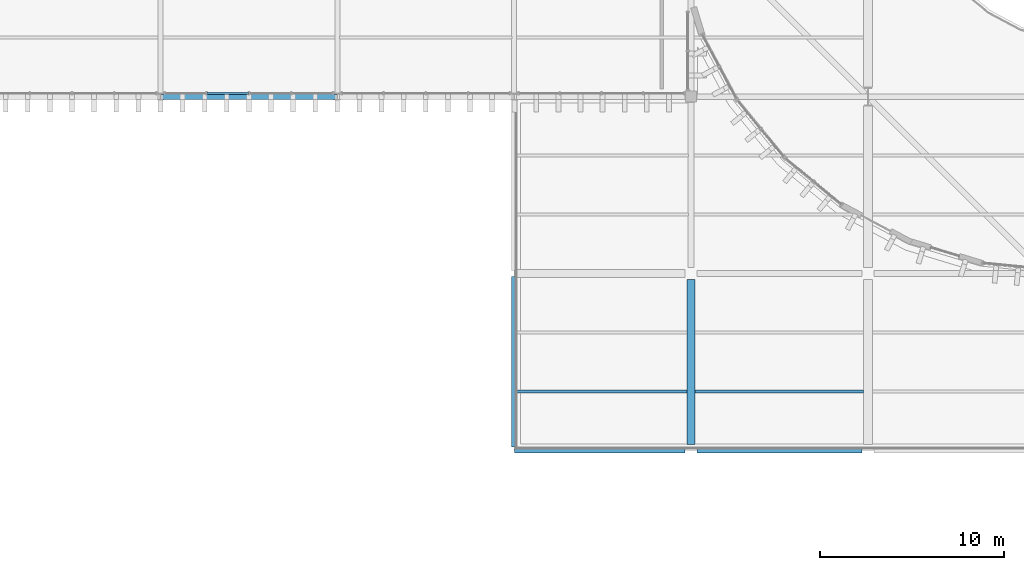
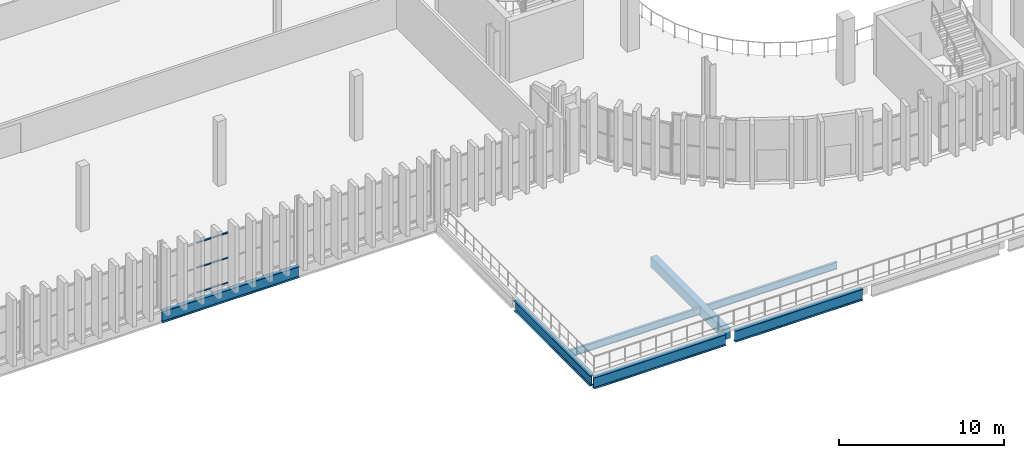
# One storey, part 13 of 99: 7 beams, 3 members, 1 element without a shape of its own.
"""IFC4 building model written with IfcOpenShell, lengths in metres."""

from ifc_helpers import new_model, si_unit, direction, frame, origin, origin_2d, place, context, subcontext, project, spatial, rectangle, i_section, extrude, material, layer, layer_set, material_profile, profile_set, type_object, element, aggregate, save


model = new_model("IFC4")

# Units and contexts
model_context = context("Model", 3, precision=1e-05, world=origin(), true_north=direction((0.0, 1.0)))
body_context = subcontext(model_context, "Body", "Model", "MODEL_VIEW")
ifc_project = project(units=[si_unit("LENGTHUNIT", "METRE"), si_unit("AREAUNIT", "SQUARE_METRE"), si_unit("VOLUMEUNIT", "CUBIC_METRE"), si_unit("PLANEANGLEUNIT", "RADIAN"), si_unit("MASSUNIT", "GRAM", prefix="KILO")], contexts=[model_context])

# Site, building, storey
site_placement = place(None, origin())
site = spatial("IfcSite", under=ifc_project, at=site_placement, CompositionType="ELEMENT")
building_placement = place(site_placement, origin())
building = spatial("IfcBuilding", under=site, at=building_placement, Name="Caelomonte Colonnade Arena", CompositionType="ELEMENT")
storey_placement = place(building_placement, frame((0.0, 0.0, 4.800048828125)))
storey = spatial("IfcBuildingStorey", under=building, at=storey_placement, Name="L01", CompositionType="ELEMENT", Elevation=4.800048828125)

# Curtain wall, members
ifc_material_1 = material(Name="Bronze anodised aluminium and low-E glazing", Category="aluminium")
ifc_layer = layer(ifc_material_1, 0.179931640625)
ifc_layer_set = layer_set([ifc_layer], Name="Bronze anodised aluminium and low-E glazing")
curtain_wall_type = type_object("IfcCurtainWallType", Name="ENV-CW-CW-L01-96-38", PredefinedType="USERDEFINED", material=ifc_layer_set)
curtain_wall_placement = place(storey_placement, origin())
curtain_wall = element("IfcCurtainWall", 1, at=curtain_wall_placement, inside=storey, type_object=curtain_wall_type, Name="L01 unitized curtain wall CW-L01-0336-0290", ObjectType="UNITIZED CURTAIN WALL", PredefinedType="USERDEFINED")
ifc_material_2 = material(Name="Bronze anodised aluminium AA6063-T6", Category="aluminium")
ifc_material_profile_1 = material_profile(ifc_material_2, rectangle(XDim=0.06494140625, YDim=0.1201171875, at=origin_2d()), Name="CWT-65X120")
ifc_profile_set_1 = profile_set([ifc_material_profile_1], Name="Bronze anodised aluminium AA6063-T6")
member_type = type_object("IfcMemberType", Name="ENV-CW-TRAN2", PredefinedType="USERDEFINED", material=ifc_profile_set_1)
member_1_placement = place(storey_placement, frame((31.334716796875, 28.97998046875, 0.032470703125), z_axis=(1.0, 0.0, 0.0), x_axis=(0.0, 0.0, 1.0)))
member_1 = element("IfcMember", 2, at=member_1_placement, type_object=member_type, Name="CW-L01-96-38 transom 2.1", ObjectType="TRANSOM", PredefinedType="USERDEFINED", context=body_context, shape_type="SweptSolid", body=[
    extrude(rectangle(XDim=0.06494140625, YDim=0.1201171875, at=origin_2d()), origin(), (0.0, 0.0, 1.0), 2.232666015625),
])
member_2_placement = place(storey_placement, frame((31.334716796875, 28.97998046875, 1.87890625), z_axis=(1.0, 0.0, 0.0), x_axis=(0.0, 0.0, 1.0)))
member_2 = element("IfcMember", 3, at=member_2_placement, type_object=member_type, Name="CW-L01-96-38 transom 2.2", ObjectType="TRANSOM", PredefinedType="USERDEFINED", context=body_context, shape_type="SweptSolid", body=[
    extrude(rectangle(XDim=0.06494140625, YDim=0.1201171875, at=origin_2d()), origin(), (0.0, 0.0, 1.0), 2.232666015625),
])
member_3_placement = place(storey_placement, frame((31.334716796875, 28.97998046875, 3.725341796875), z_axis=(1.0, 0.0, 0.0), x_axis=(0.0, 0.0, 1.0)))
member_3 = element("IfcMember", 4, at=member_3_placement, type_object=member_type, Name="CW-L01-96-38 transom 2.3", ObjectType="TRANSOM", PredefinedType="USERDEFINED", context=body_context, shape_type="SweptSolid", body=[
    extrude(rectangle(XDim=0.06494140625, YDim=0.1201171875, at=origin_2d()), origin(), (0.0, 0.0, 1.0), 2.232666015625),
])
aggregate(curtain_wall, [member_1, member_2, member_3])

# Beams
ifc_material_3 = material(Name="Wide-flange steel ASTM A992 Grade 50", Category="steel")
ifc_material_profile_2 = material_profile(ifc_material_3, i_section(OverallWidth=0.2666015625, OverallDepth=0.761962890625, WebThickness=0.014404296875, FlangeThickness=0.021484375, FilletRadius=0.0166015625, at=origin_2d()), Name="W30X116")
ifc_profile_set_2 = profile_set([ifc_material_profile_2], Name="Wide-flange steel ASTM A992 Grade 50")
beam_type_1 = type_object("IfcBeamType", Name="STR-BM-GIRD30", PredefinedType="BEAM", material=ifc_profile_set_2)
beam_1_placement = place(storey_placement, frame((48.0, 9.77001953125, -0.68115234375), z_axis=(0.0, 1.0, 0.0), x_axis=(-1.0, 0.0, 0.0)))
element("IfcBeam", 5, at=beam_1_placement, inside=storey, type_object=beam_type_1, Name="L01 girder BMY-L01-0480-0096", PredefinedType="BEAM", context=body_context, shape_type="SweptSolid", body=[
    extrude(i_section(OverallWidth=0.2666015625, OverallDepth=0.761962890625, WebThickness=0.014404296875, FlangeThickness=0.021484375, FilletRadius=0.0166015625, at=origin_2d()), origin(), (0.0, 0.0, 1.0), 9.259765625),
])
ifc_material_profile_3 = material_profile(ifc_material_3, i_section(OverallWidth=0.2919921875, OverallDepth=0.835693359375, WebThickness=0.013916015625, FlangeThickness=0.018798828125, FilletRadius=0.017822265625, at=origin_2d()), Name="W33X118")
ifc_profile_set_3 = profile_set([ifc_material_profile_3], Name="Wide-flange steel ASTM A992 Grade 50")
beam_type_2 = type_object("IfcBeamType", Name="STR-BM-GIRD33B", PredefinedType="BEAM", material=ifc_profile_set_3)
beam_2_placement = place(storey_placement, frame((48.005615234375, 9.60009765625, -0.7177734375), z_axis=(1.0, 0.0, 0.0), x_axis=(0.0, 1.0, 0.0)))
element("IfcBeam", 6, at=beam_2_placement, inside=storey, type_object=beam_type_2, Name="L01 girder BMX-L01-0480-0096", PredefinedType="BEAM", context=body_context, shape_type="SweptSolid", body=[
    extrude(i_section(OverallWidth=0.2919921875, OverallDepth=0.835693359375, WebThickness=0.013916015625, FlangeThickness=0.018798828125, FilletRadius=0.017822265625, at=origin_2d()), origin(), (0.0, 0.0, 1.0), 9.27734375),
])
beam_3_placement = place(storey_placement, frame((57.9169921875, 9.60009765625, -0.7177734375), z_axis=(1.0, 0.0, 0.0), x_axis=(0.0, 1.0, 0.0)))
element("IfcBeam", 7, at=beam_3_placement, inside=storey, type_object=beam_type_2, Name="L01 girder BMX-L01-0576-0096", PredefinedType="BEAM", context=body_context, shape_type="SweptSolid", body=[
    extrude(i_section(OverallWidth=0.2919921875, OverallDepth=0.835693359375, WebThickness=0.013916015625, FlangeThickness=0.018798828125, FilletRadius=0.017822265625, at=origin_2d()), origin(), (0.0, 0.0, 1.0), 8.966064453125),
])
beam_4_placement = place(storey_placement, frame((28.8056640625, 28.800048828125, -0.7177734375), z_axis=(1.0, 0.0, 0.0), x_axis=(0.0, 1.0, 0.0)))
element("IfcBeam", 8, at=beam_4_placement, inside=storey, type_object=beam_type_2, Name="L01 girder BMX-L01-0288-0288", PredefinedType="BEAM", context=body_context, shape_type="SweptSolid", body=[
    extrude(i_section(OverallWidth=0.2919921875, OverallDepth=0.835693359375, WebThickness=0.013916015625, FlangeThickness=0.018798828125, FilletRadius=0.017822265625, at=origin_2d()), origin(), (0.0, 0.0, 1.0), 9.588623046875),
])
ifc_material_profile_4 = material_profile(ifc_material_3, i_section(OverallWidth=0.166015625, OverallDepth=0.5283203125, WebThickness=0.009765625, FlangeThickness=0.013671875, FilletRadius=0.0126953125, at=origin_2d()), Name="W21X50")
ifc_profile_set_4 = profile_set([ifc_material_profile_4], Name="Wide-flange steel ASTM A992 Grade 50")
beam_type_3 = type_object("IfcBeamType", Name="STR-BM-JOIST21B", PredefinedType="JOIST", material=ifc_profile_set_4)
beam_5_placement = place(storey_placement, frame((48.12841796875, 12.800048828125, -0.564208984375), z_axis=(1.0, 0.0, 0.0), x_axis=(0.0, 1.0, 0.0)))
element("IfcBeam", 9, at=beam_5_placement, inside=storey, type_object=beam_type_3, Name="L01 secondary joist 1", PredefinedType="JOIST", context=body_context, shape_type="SweptSolid", body=[
    extrude(i_section(OverallWidth=0.166015625, OverallDepth=0.5283203125, WebThickness=0.009765625, FlangeThickness=0.013671875, FilletRadius=0.0126953125, at=origin_2d()), origin(), (0.0, 0.0, 1.0), 9.25146484375),
])
beam_6_placement = place(storey_placement, frame((57.820068359375, 12.800048828125, -0.564208984375), z_axis=(1.0, 0.0, 0.0), x_axis=(0.0, 1.0, 0.0)))
element("IfcBeam", 10, at=beam_6_placement, inside=storey, type_object=beam_type_3, Name="L01 secondary joist 1", PredefinedType="JOIST", context=body_context, shape_type="SweptSolid", body=[
    extrude(i_section(OverallWidth=0.166015625, OverallDepth=0.5283203125, WebThickness=0.009765625, FlangeThickness=0.013671875, FilletRadius=0.0126953125, at=origin_2d()), origin(), (0.0, 0.0, 1.0), 9.135009765625),
])
ifc_material_4 = material(Name="Concrete C40/50", Category="concrete")
ifc_material_profile_5 = material_profile(ifc_material_4, rectangle(XDim=0.449951171875, YDim=0.75, at=origin_2d()), Name="RC450X750")
ifc_profile_set_5 = profile_set([ifc_material_profile_5], Name="Concrete C40/50")
beam_type_4 = type_object("IfcBeamType", Name="STR-BM-SPAN24", PredefinedType="SPANDREL", material=ifc_profile_set_5)
beam_7_placement = place(storey_placement, frame((57.60009765625, 9.9169921875, -0.675048828125), z_axis=(0.0, 1.0, 0.0), x_axis=(-1.0, 0.0, 0.0)))
element("IfcBeam", 11, at=beam_7_placement, inside=storey, type_object=beam_type_4, Name="L01 girder BMY-L01-0576-0096", PredefinedType="SPANDREL", context=body_context, shape_type="SweptSolid", body=[
    extrude(rectangle(XDim=0.449951171875, YDim=0.75, at=origin_2d()), origin(), (0.0, 0.0, 1.0), 8.966064453125),
])

save(model, "model.ifc")
